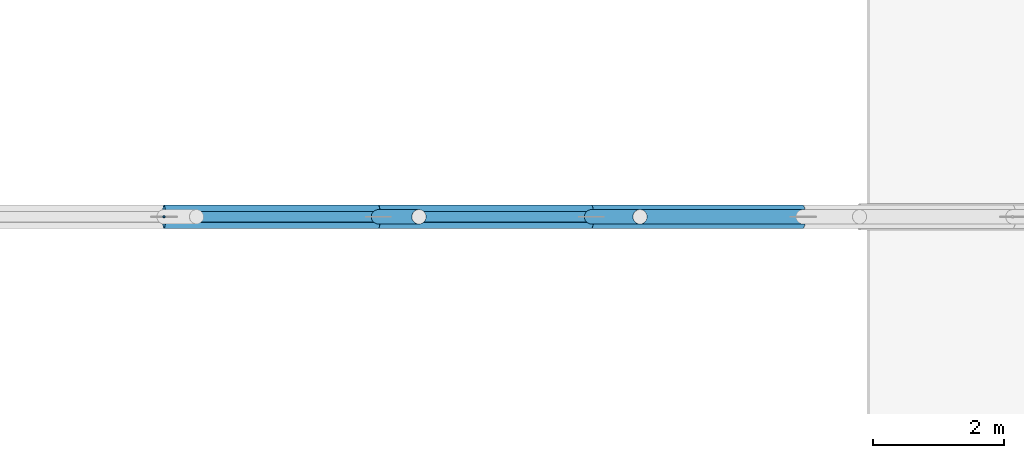
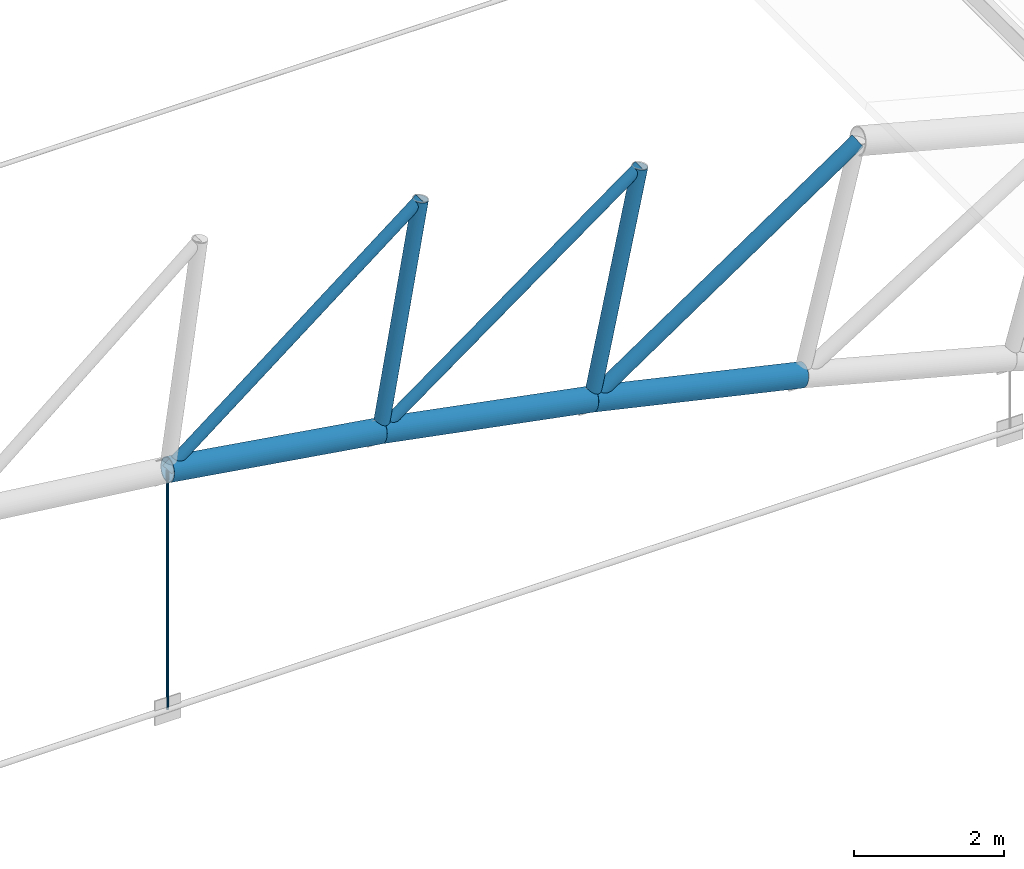
# One storey, part 191 of 321: 9 members.
"""IFC4 building model written with IfcOpenShell, lengths in metres."""

from ifc_helpers import new_model, si_unit, direction, frame, origin, origin_2d, place, context, subcontext, project, spatial, circle, hollow_circle, extrude, material, material_profile, profile_set, type_object, element, save


model = new_model("IFC4")

# Units and contexts
model_context = context("Model", 3, precision=1e-05, world=origin(), true_north=direction((0.0, 1.0)))
body_context = subcontext(model_context, "Body", "Model", "MODEL_VIEW")
ifc_project = project(units=[si_unit("LENGTHUNIT", "METRE"), si_unit("AREAUNIT", "SQUARE_METRE"), si_unit("VOLUMEUNIT", "CUBIC_METRE"), si_unit("PLANEANGLEUNIT", "RADIAN"), si_unit("MASSUNIT", "GRAM", prefix="KILO")], contexts=[model_context])

# Site, building, storey
site_placement = place(None, origin())
site = spatial("IfcSite", under=ifc_project, at=site_placement, CompositionType="ELEMENT")
building_placement = place(site_placement, origin())
building = spatial("IfcBuilding", under=site, at=building_placement, Name="Ravi Spectrum Wholesale Market", CompositionType="ELEMENT")
storey_placement = place(building_placement, frame((0.0, 0.0, 10.800048828125)))
storey = spatial("IfcBuildingStorey", under=building, at=storey_placement, Name="L02", CompositionType="ELEMENT", Elevation=10.800048828125)

# Members
ifc_material_1 = material(Name="Steel S355", Category="steel")
ifc_material_profile_1 = material_profile(ifc_material_1, hollow_circle(Radius=0.084228515625, WallThickness=0.00634765625, at=origin_2d()))
ifc_profile_set_1 = profile_set([ifc_material_profile_1], Name="Steel S355")
member_type_1 = type_object("IfcMemberType", Name="CHS 168.3x6.3 brace", PredefinedType="BRACE", material=ifc_profile_set_1)
for number, where, z_axis, x_axis, name in (
    (1, (87.0673828125, 174.0, 6.92431640625), (-0.787944778548, 0.0, -0.615745910225), (0.0, -1.0, 0.0), "H1-MB-L02-1059"),
    (2, (90.436279296875, 174.0, 6.27734375), (-0.808703958366, 0.0, -0.588215868303), (0.0, -1.0, 0.0), "H1-MB-L02-1060"),
):
    element("IfcMember", number, at=place(storey_placement, frame(where, z_axis=z_axis, x_axis=x_axis)), inside=storey, type_object=member_type_1, Name=name, PredefinedType="BRACE", context=body_context, shape_type="SweptSolid", body=[
        extrude(hollow_circle(Radius=0.084228515625, WallThickness=0.00634765625, at=origin_2d()), origin(), (0.0, 0.0, 1.0), 4.9296875),
    ])
ifc_material_2 = material(Name="Steel S355", Category="steel")
ifc_material_profile_2 = material_profile(ifc_material_2, hollow_circle(Radius=0.109619140625, WallThickness=0.008056640625, at=origin_2d()))
ifc_profile_set_2 = profile_set([ifc_material_profile_2], Name="Steel S355")
member_type_2 = type_object("IfcMemberType", Name="CHS 219.1x8 brace", PredefinedType="BRACE", material=ifc_profile_set_2)
member_1_placement = place(storey_placement, frame((93.78076171875, 174.0, 5.514404296875), z_axis=(-0.828544259915, 0.0, -0.559923574573), x_axis=(0.0, -1.0, 0.0)))
element("IfcMember", 3, at=member_1_placement, inside=storey, type_object=member_type_2, Name="H1-MB-L02-1061", PredefinedType="BRACE", context=body_context, shape_type="SweptSolid", body=[
    extrude(hollow_circle(Radius=0.109619140625, WallThickness=0.008056640625, at=origin_2d()), origin(), (0.0, 0.0, 1.0), 4.9296875),
])
ifc_material_3 = material(Name="Steel S355", Category="steel")
ifc_material_profile_3 = material_profile(ifc_material_3, hollow_circle(Radius=0.109619140625, WallThickness=0.008056640625, at=origin_2d()))
ifc_profile_set_3 = profile_set([ifc_material_profile_3], Name="Steel S355")
member_type_3 = type_object("IfcMemberType", Name="CHS 219.1x8 post", PredefinedType="POST", material=ifc_profile_set_3)
for number, where, z_axis, x_axis, name in (
    (4, (87.0673828125, 174.0, 6.92431640625), (-0.171575852457, 0.0, -0.985170912509), (0.0, -1.0, 0.0), "H1-MB-L02-1037"),
    (5, (90.436279296875, 174.0, 6.27734375), (-0.205549060287, 0.0, -0.978646812602), (0.0, -1.0, 0.0), "H1-MB-L02-1038"),
):
    element("IfcMember", number, at=place(storey_placement, frame(where, z_axis=z_axis, x_axis=x_axis)), inside=storey, type_object=member_type_3, Name=name, PredefinedType="POST", context=body_context, shape_type="SweptSolid", body=[
        extrude(hollow_circle(Radius=0.109619140625, WallThickness=0.008056640625, at=origin_2d()), origin(), (0.0, 0.0, 1.0), 3.60009765625),
    ])
ifc_material_4 = material(Name="Steel S355", Category="steel")
ifc_material_profile_4 = material_profile(ifc_material_4, hollow_circle(Radius=0.177734375, WallThickness=0.012451171875, at=origin_2d()))
ifc_profile_set_4 = profile_set([ifc_material_profile_4], Name="Steel S355")
member_type_4 = type_object("IfcMemberType", Name="CHS 355.6x12.5 chord", PredefinedType="CHORD", material=ifc_profile_set_4)
member_2_placement = place(storey_placement, frame((83.18310546875, 174.0, 3.888916015625), z_axis=(0.987973992944, 0.0, -0.154620145084), x_axis=(0.0, 1.0, 0.0)))
element("IfcMember", 6, at=member_2_placement, inside=storey, type_object=member_type_4, Name="H1-MB-L02-1013", PredefinedType="CHORD", context=body_context, shape_type="SweptSolid", body=[
    extrude(hollow_circle(Radius=0.177734375, WallThickness=0.012451171875, at=origin_2d()), origin(), (0.0, 0.0, 1.0), 3.306396484375),
])
member_3_placement = place(storey_placement, frame((86.44970703125, 174.0, 3.377685546875), z_axis=(0.982051718756, 0.0, -0.188611828072), x_axis=(0.0, 1.0, 0.0)))
element("IfcMember", 7, at=member_3_placement, inside=storey, type_object=member_type_4, Name="H1-MB-L02-1014", PredefinedType="CHORD", context=body_context, shape_type="SweptSolid", body=[
    extrude(hollow_circle(Radius=0.177734375, WallThickness=0.012451171875, at=origin_2d()), origin(), (0.0, 0.0, 1.0), 3.305908203125),
])
member_4_placement = place(storey_placement, frame((89.6962890625, 174.0, 2.754150390625), z_axis=(0.974967923727, 0.0, -0.222345559217), x_axis=(0.0, 1.0, 0.0)))
element("IfcMember", 8, at=member_4_placement, inside=storey, type_object=member_type_4, Name="H1-MB-L02-1015", PredefinedType="CHORD", context=body_context, shape_type="SweptSolid", body=[
    extrude(hollow_circle(Radius=0.177734375, WallThickness=0.012451171875, at=origin_2d()), origin(), (0.0, 0.0, 1.0), 3.30615234375),
])
ifc_material_5 = material(Name="Steel S355", Category="steel")
ifc_material_profile_5 = material_profile(ifc_material_5, circle(Radius=0.01806640625, at=origin_2d()))
ifc_profile_set_5 = profile_set([ifc_material_profile_5], Name="Steel S355")
member_type_5 = type_object("IfcMemberType", Name="ROD 36 hanger", PredefinedType="STRUT", material=ifc_profile_set_5)
member_5_placement = place(storey_placement, frame((83.18310546875, 174.0, 0.0), z_axis=(0.0, 0.0, 1.0), x_axis=(1.0, 0.0, 0.0)))
element("IfcMember", 9, at=member_5_placement, inside=storey, type_object=member_type_5, Name="H1-MB-L02-1070", PredefinedType="STRUT", context=body_context, shape_type="SweptSolid", body=[
    extrude(circle(Radius=0.01806640625, at=origin_2d()), origin(), (0.0, 0.0, 1.0), 3.888916015625),
])

save(model, "model.ifc")
